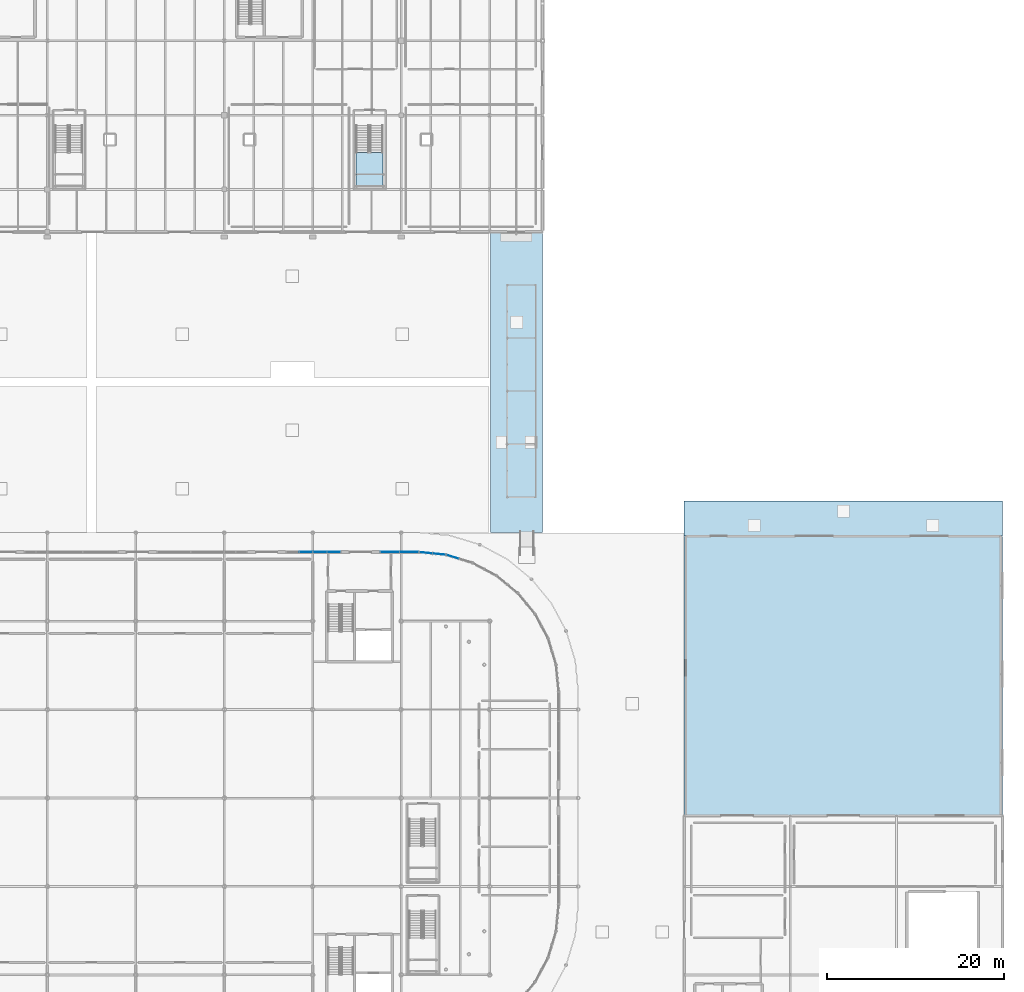
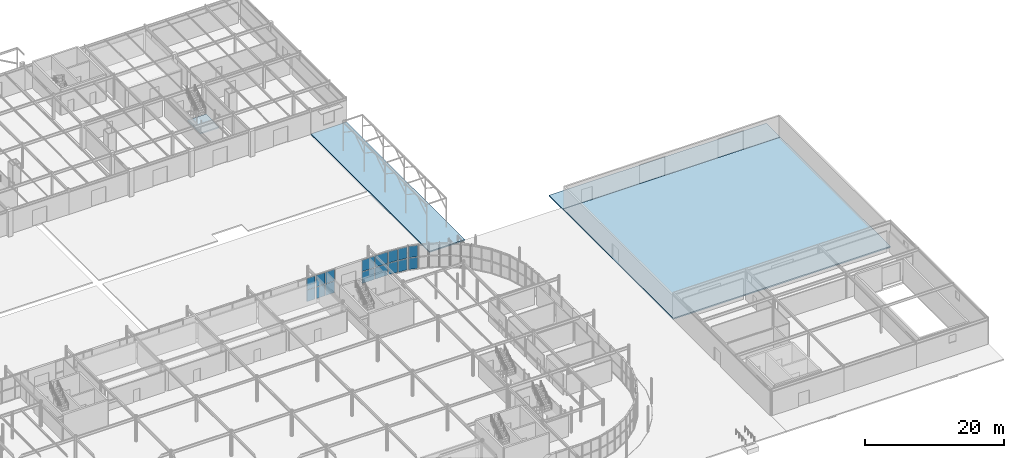
# One storey, part 81 of 119: 16 plates, 4 slabs, 6 elements without a shape of their own.
"""IFC4 building model written with IfcOpenShell, lengths in metres."""

from ifc_helpers import new_model, si_unit, derived_unit, direction, frame, origin, origin_2d_with_axis, place, context, subcontext, project, spatial, polyline, rectangle, outline, extrude, material, layer, layer_set, type_object, element, aggregate, save


model = new_model("IFC4")

# Units and contexts
model_context = context("Model", 3, precision=1e-05, world=origin(), true_north=direction((0.0, 1.0)))
body_context = subcontext(model_context, "Body", "Model", "MODEL_VIEW")
ifc_project = project(units=[si_unit("LENGTHUNIT", "METRE"), si_unit("AREAUNIT", "SQUARE_METRE"), si_unit("VOLUMEUNIT", "CUBIC_METRE"), si_unit("PLANEANGLEUNIT", "RADIAN"), si_unit("MASSUNIT", "GRAM", prefix="KILO"), derived_unit("THERMALTRANSMITTANCEUNIT", [(si_unit("POWERUNIT", "WATT"), 1), (si_unit("LENGTHUNIT", "METRE"), -2), (si_unit("THERMODYNAMICTEMPERATUREUNIT", "KELVIN"), -1)])], contexts=[model_context])

# Site, building, storey
site_placement = place(None, origin())
site = spatial("IfcSite", under=ifc_project, at=site_placement, CompositionType="ELEMENT")
building_placement = place(site_placement, origin())
building = spatial("IfcBuilding", under=site, at=building_placement, Name="Cinnabar Yard Market Hall", CompositionType="ELEMENT")
storey_placement = place(building_placement, origin())
storey = spatial("IfcBuildingStorey", under=building, at=storey_placement, Name="L00", CompositionType="ELEMENT", Elevation=0.0)

# Curtain wall, plates
ifc_material_1 = material(Name="Anodised bronze aluminium and low-E glass", Category="aluminium")
curtain_wall_type_1 = type_object("IfcCurtainWallType", Name="CW-CWH030x42", PredefinedType="NOTDEFINED", material=ifc_material_1)
curtain_wall_1_placement = place(storey_placement, origin())
curtain_wall_1 = element("IfcCurtainWall", 1, at=curtain_wall_1_placement, inside=storey, type_object=curtain_wall_type_1, Name="Market Hall North Ground Glazing B5B", PredefinedType="NOTDEFINED")
ifc_material_2 = material(Name="Low-E laminated glass", Category="glass")
ifc_layer_1 = layer(ifc_material_2, 0.031982421875)
ifc_layer_set_1 = layer_set([ifc_layer_1], Name="Low-E laminated glass")
plate_type_1 = type_object("IfcPlateType", Name="CWP-GP138x200", PredefinedType="CURTAIN_PANEL", material=ifc_layer_set_1)
plate_1_placement = place(storey_placement, frame((135.22998046875, 71.800048828125, 0.080078125), z_axis=(0.0, 0.0, 1.0), x_axis=(-1.0, 0.0, 0.0)))
plate_1 = element("IfcPlate", 2, at=plate_1_placement, type_object=plate_type_1, Name="CWH030x42 panel 1.1", PredefinedType="CURTAIN_PANEL", context=body_context, shape_type="SweptSolid", body=[
    extrude(rectangle(XDim=1.3798828125, YDim=0.031982421875, at=origin_2d_with_axis()), origin(), (0.0, 0.0, 1.0), 2.0),
])
plate_2_placement = place(storey_placement, frame((135.22998046875, 71.800048828125, 2.159912109375), z_axis=(0.0, 0.0, 1.0), x_axis=(-1.0, 0.0, 0.0)))
plate_2 = element("IfcPlate", 3, at=plate_2_placement, type_object=plate_type_1, Name="CWH030x42 panel 1.2", PredefinedType="CURTAIN_PANEL", context=body_context, shape_type="SweptSolid", body=[
    extrude(rectangle(XDim=1.3798828125, YDim=0.031982421875, at=origin_2d_with_axis()), origin(), (0.0, 0.0, 1.0), 2.0),
])
aggregate(curtain_wall_1, [plate_1, plate_2])

ifc_material_3 = material(Name="Anodised bronze aluminium curved-chord facade", Category="aluminium")
curtain_wall_type_2 = type_object("IfcCurtainWallType", Name="CW-CWC031x42", PredefinedType="NOTDEFINED", material=ifc_material_3)
curtain_wall_2_placement = place(storey_placement, origin())
curtain_wall_2 = element("IfcCurtainWall", 4, at=curtain_wall_2_placement, inside=storey, type_object=curtain_wall_type_2, Name="Corner NE Chord 7 L00", PredefinedType="NOTDEFINED")
ifc_layer_2 = layer(ifc_material_2, 0.031982421875)
ifc_layer_set_2 = layer_set([ifc_layer_2], Name="Low-E laminated glass")
plate_type_2 = type_object("IfcPlateType", Name="CWP-GP141x199", PredefinedType="CURTAIN_PANEL", material=ifc_layer_set_2)
plate_3_placement = place(storey_placement, frame((151.844970703125, 71.26513671875, 0.08984375), z_axis=(0.0, 0.0, 1.0), x_axis=(-0.956942090856, 0.290278891325, 0.0)))
plate_3 = element("IfcPlate", 5, at=plate_3_placement, type_object=plate_type_2, Name="CWC031x42 panel 2.1", PredefinedType="CURTAIN_PANEL", context=body_context, shape_type="SweptSolid", body=[
    extrude(rectangle(XDim=1.41357421875, YDim=0.031982421875, at=origin_2d_with_axis()), origin(), (0.0, 0.0, 1.0), 1.985107421875),
])
plate_4_placement = place(storey_placement, frame((151.844970703125, 71.26513671875, 2.1650390625), z_axis=(0.0, 0.0, 1.0), x_axis=(-0.956942090856, 0.290278891325, 0.0)))
plate_4 = element("IfcPlate", 6, at=plate_4_placement, type_object=plate_type_2, Name="CWC031x42 panel 2.2", PredefinedType="CURTAIN_PANEL", context=body_context, shape_type="SweptSolid", body=[
    extrude(rectangle(XDim=1.41357421875, YDim=0.031982421875, at=origin_2d_with_axis()), origin(), (0.0, 0.0, 1.0), 1.985107421875),
])
aggregate(curtain_wall_2, [plate_3, plate_4])

curtain_wall_3_placement = place(storey_placement, origin())
curtain_wall_3 = element("IfcCurtainWall", 7, at=curtain_wall_3_placement, inside=storey, type_object=curtain_wall_type_2, Name="Corner NE Chord 8 L00", PredefinedType="NOTDEFINED")
plate_5_placement = place(storey_placement, frame((150.289306640625, 71.574462890625, 0.08984375), z_axis=(0.0, 0.0, 1.0), x_axis=(-0.995184408637, 0.098020369342, 0.0)))
plate_5 = element("IfcPlate", 8, at=plate_5_placement, type_object=plate_type_2, Name="CWC031x42 panel 1.1", PredefinedType="CURTAIN_PANEL", context=body_context, shape_type="SweptSolid", body=[
    extrude(rectangle(XDim=1.41357421875, YDim=0.031982421875, at=origin_2d_with_axis()), origin(), (0.0, 0.0, 1.0), 1.985107421875),
])
plate_6_placement = place(storey_placement, frame((150.289306640625, 71.574462890625, 2.1650390625), z_axis=(0.0, 0.0, 1.0), x_axis=(-0.995184408637, 0.098020369342, 0.0)))
plate_6 = element("IfcPlate", 9, at=plate_6_placement, type_object=plate_type_2, Name="CWC031x42 panel 1.2", PredefinedType="CURTAIN_PANEL", context=body_context, shape_type="SweptSolid", body=[
    extrude(rectangle(XDim=1.41357421875, YDim=0.031982421875, at=origin_2d_with_axis()), origin(), (0.0, 0.0, 1.0), 1.985107421875),
])
plate_7_placement = place(storey_placement, frame((148.79296875, 71.721923828125, 0.08984375), z_axis=(0.0, 0.0, 1.0), x_axis=(-0.995184408637, 0.098020369342, 0.0)))
plate_7 = element("IfcPlate", 10, at=plate_7_placement, type_object=plate_type_2, Name="CWC031x42 panel 2.1", PredefinedType="CURTAIN_PANEL", context=body_context, shape_type="SweptSolid", body=[
    extrude(rectangle(XDim=1.41357421875, YDim=0.031982421875, at=origin_2d_with_axis()), origin(), (0.0, 0.0, 1.0), 1.985107421875),
])
plate_8_placement = place(storey_placement, frame((148.79296875, 71.721923828125, 2.1650390625), z_axis=(0.0, 0.0, 1.0), x_axis=(-0.995184408637, 0.098020369342, 0.0)))
plate_8 = element("IfcPlate", 11, at=plate_8_placement, type_object=plate_type_2, Name="CWC031x42 panel 2.2", PredefinedType="CURTAIN_PANEL", context=body_context, shape_type="SweptSolid", body=[
    extrude(rectangle(XDim=1.41357421875, YDim=0.031982421875, at=origin_2d_with_axis()), origin(), (0.0, 0.0, 1.0), 1.985107421875),
])
aggregate(curtain_wall_3, [plate_5, plate_6, plate_7, plate_8])

curtain_wall_type_3 = type_object("IfcCurtainWallType", Name="CW-CWH032x42", PredefinedType="NOTDEFINED", material=ifc_material_1)
curtain_wall_4_placement = place(storey_placement, origin())
curtain_wall_4 = element("IfcCurtainWall", 12, at=curtain_wall_4_placement, inside=storey, type_object=curtain_wall_type_3, Name="Market Hall North Ground Glazing B6A", PredefinedType="NOTDEFINED")
ifc_layer_3 = layer(ifc_material_2, 0.031982421875)
ifc_layer_set_3 = layer_set([ifc_layer_3], Name="Low-E laminated glass")
plate_type_3 = type_object("IfcPlateType", Name="CWP-GP148x200", PredefinedType="CURTAIN_PANEL", material=ifc_layer_set_3)
plate_9_placement = place(storey_placement, frame((138.3798828125, 71.800048828125, 0.080078125), z_axis=(0.0, 0.0, 1.0), x_axis=(-1.0, 0.0, 0.0)))
plate_9 = element("IfcPlate", 13, at=plate_9_placement, type_object=plate_type_3, Name="CWH032x42 panel 1.1", PredefinedType="CURTAIN_PANEL", context=body_context, shape_type="SweptSolid", body=[
    extrude(rectangle(XDim=1.47998046875, YDim=0.031982421875, at=origin_2d_with_axis()), origin(), (0.0, 0.0, 1.0), 2.0),
])
plate_10_placement = place(storey_placement, frame((138.3798828125, 71.800048828125, 2.159912109375), z_axis=(0.0, 0.0, 1.0), x_axis=(-1.0, 0.0, 0.0)))
plate_10 = element("IfcPlate", 14, at=plate_10_placement, type_object=plate_type_3, Name="CWH032x42 panel 1.2", PredefinedType="CURTAIN_PANEL", context=body_context, shape_type="SweptSolid", body=[
    extrude(rectangle(XDim=1.47998046875, YDim=0.031982421875, at=origin_2d_with_axis()), origin(), (0.0, 0.0, 1.0), 2.0),
])
plate_11_placement = place(storey_placement, frame((136.820068359375, 71.800048828125, 0.080078125), z_axis=(0.0, 0.0, 1.0), x_axis=(-1.0, 0.0, 0.0)))
plate_11 = element("IfcPlate", 15, at=plate_11_placement, type_object=plate_type_3, Name="CWH032x42 panel 2.1", PredefinedType="CURTAIN_PANEL", context=body_context, shape_type="SweptSolid", body=[
    extrude(rectangle(XDim=1.47998046875, YDim=0.031982421875, at=origin_2d_with_axis()), origin(), (0.0, 0.0, 1.0), 2.0),
])
plate_12_placement = place(storey_placement, frame((136.820068359375, 71.800048828125, 2.159912109375), z_axis=(0.0, 0.0, 1.0), x_axis=(-1.0, 0.0, 0.0)))
plate_12 = element("IfcPlate", 16, at=plate_12_placement, type_object=plate_type_3, Name="CWH032x42 panel 2.2", PredefinedType="CURTAIN_PANEL", context=body_context, shape_type="SweptSolid", body=[
    extrude(rectangle(XDim=1.47998046875, YDim=0.031982421875, at=origin_2d_with_axis()), origin(), (0.0, 0.0, 1.0), 2.0),
])
aggregate(curtain_wall_4, [plate_9, plate_10, plate_11, plate_12])

curtain_wall_type_4 = type_object("IfcCurtainWallType", Name="CW-CWH044x42", PredefinedType="NOTDEFINED", material=ifc_material_1)
curtain_wall_5_placement = place(storey_placement, origin())
curtain_wall_5 = element("IfcCurtainWall", 17, at=curtain_wall_5_placement, inside=storey, type_object=curtain_wall_type_4, Name="Market Hall North Ground Glazing B6B", PredefinedType="NOTDEFINED")
ifc_layer_4 = layer(ifc_material_2, 0.031982421875)
ifc_layer_set_4 = layer_set([ifc_layer_4], Name="Low-E laminated glass")
plate_type_4 = type_object("IfcPlateType", Name="CWP-GP208x200", PredefinedType="CURTAIN_PANEL", material=ifc_layer_set_4)
plate_13_placement = place(storey_placement, frame((146.8798828125, 71.800048828125, 0.080078125), z_axis=(0.0, 0.0, 1.0), x_axis=(-1.0, 0.0, 0.0)))
plate_13 = element("IfcPlate", 18, at=plate_13_placement, type_object=plate_type_4, Name="CWH044x42 panel 1.1", PredefinedType="CURTAIN_PANEL", context=body_context, shape_type="SweptSolid", body=[
    extrude(rectangle(XDim=2.080078125, YDim=0.031982421875, at=origin_2d_with_axis()), origin(), (0.0, 0.0, 1.0), 2.0),
])
plate_14_placement = place(storey_placement, frame((146.8798828125, 71.800048828125, 2.159912109375), z_axis=(0.0, 0.0, 1.0), x_axis=(-1.0, 0.0, 0.0)))
plate_14 = element("IfcPlate", 19, at=plate_14_placement, type_object=plate_type_4, Name="CWH044x42 panel 1.2", PredefinedType="CURTAIN_PANEL", context=body_context, shape_type="SweptSolid", body=[
    extrude(rectangle(XDim=2.080078125, YDim=0.031982421875, at=origin_2d_with_axis()), origin(), (0.0, 0.0, 1.0), 2.0),
])
plate_15_placement = place(storey_placement, frame((144.719970703125, 71.800048828125, 0.080078125), z_axis=(0.0, 0.0, 1.0), x_axis=(-1.0, 0.0, 0.0)))
plate_15 = element("IfcPlate", 20, at=plate_15_placement, type_object=plate_type_4, Name="CWH044x42 panel 2.1", PredefinedType="CURTAIN_PANEL", context=body_context, shape_type="SweptSolid", body=[
    extrude(rectangle(XDim=2.080078125, YDim=0.031982421875, at=origin_2d_with_axis()), origin(), (0.0, 0.0, 1.0), 2.0),
])
plate_16_placement = place(storey_placement, frame((144.719970703125, 71.800048828125, 2.159912109375), z_axis=(0.0, 0.0, 1.0), x_axis=(-1.0, 0.0, 0.0)))
plate_16 = element("IfcPlate", 21, at=plate_16_placement, type_object=plate_type_4, Name="CWH044x42 panel 2.2", PredefinedType="CURTAIN_PANEL", context=body_context, shape_type="SweptSolid", body=[
    extrude(rectangle(XDim=2.080078125, YDim=0.031982421875, at=origin_2d_with_axis()), origin(), (0.0, 0.0, 1.0), 2.0),
])
aggregate(curtain_wall_5, [plate_13, plate_14, plate_15, plate_16])

# Slabs
ifc_material_4 = material(Name="Concrete 40 MPa", Category="concrete")
ifc_layer_5 = layer(ifc_material_4, 0.219970703125)
ifc_layer_set_5 = layer_set([ifc_layer_5], Name="Concrete 40 MPa")
slab_type_1 = type_object("IfcSlabType", Name="SL-APRON", PredefinedType="BASESLAB", material=ifc_layer_set_5)
slab_1_placement = place(storey_placement, frame((0.0, 0.0, -0.219970703125)))
element("IfcSlab", 22, at=slab_1_placement, inside=storey, type_object=slab_type_1, Name="Service Yard Heavy Vehicle Deck", PredefinedType="BASESLAB", context=body_context, shape_type="SweptSolid", body=[
    extrude(outline(polyline([(178.0, 42.0400390625), (214.0, 42.0400390625), (214.0, 73.580078125), (178.0, 73.580078125), (178.0, 42.0400390625)])), origin(), (0.0, 0.0, 1.0), 0.219970703125),
])
slab_2_placement = place(storey_placement, frame((0.0, 0.0, -0.219970703125)))
element("IfcSlab", 23, at=slab_2_placement, inside=storey, type_object=slab_type_1, Name="Service Yard North Gate Apron", PredefinedType="BASESLAB", context=body_context, shape_type="SweptSolid", body=[
    extrude(outline(polyline([(178.0, 73.6201171875), (214.0, 73.6201171875), (214.0, 77.60009765625), (178.0, 77.60009765625), (178.0, 73.6201171875)])), origin(), (0.0, 0.0, 1.0), 0.219970703125),
])

# Stair, slab
ifc_material_5 = material(Name="Spotted gum timber treads on steel Grade 350 (350 MPa)", Category="steel")
stair_type = type_object("IfcStairType", Name="ST-FEAT", PredefinedType="HALF_TURN_STAIR", material=ifc_material_5)
stair_placement = place(storey_placement, origin())
stair = element("IfcStair", 24, at=stair_placement, inside=storey, type_object=stair_type, Name="L00 Feature Stair ST-F6", PredefinedType="HALF_TURN_STAIR")
ifc_layer_6 = layer(ifc_material_4, 0.199951171875)
ifc_layer_set_6 = layer_set([ifc_layer_6], Name="Concrete 40 MPa")
slab_type_2 = type_object("IfcSlabType", Name="SL-LAND", PredefinedType="LANDING", material=ifc_layer_set_6)
slab_3_placement = place(storey_placement, frame((0.0, 0.0, 2.050048828125)))
slab_3 = element("IfcSlab", 25, at=slab_3_placement, type_object=slab_type_2, Name="ST-F6 landing 1", PredefinedType="LANDING", context=body_context, shape_type="SweptSolid", body=[
    extrude(outline(polyline([(140.89990234375, 116.969970703125), (140.89990234375, 113.25), (143.9599609375, 113.25), (143.9599609375, 116.969970703125), (140.89990234375, 116.969970703125)])), origin(), (0.0, 0.0, 1.0), 0.199951171875),
])
aggregate(stair, [slab_3])

# Slab
ifc_layer_7 = layer(ifc_material_4, 0.199951171875)
ifc_layer_set_7 = layer_set([ifc_layer_7], Name="Concrete 40 MPa")
slab_type_3 = type_object("IfcSlabType", Name="SL-PASG", PredefinedType="BASESLAB", material=ifc_layer_set_7)
slab_4_placement = place(storey_placement, frame((0.0, 0.0, -0.199951171875)))
element("IfcSlab", 26, at=slab_4_placement, inside=storey, type_object=slab_type_3, Name="East Covered Passage Paving", PredefinedType="BASESLAB", context=body_context, shape_type="SweptSolid", body=[
    extrude(outline(polyline([(156.10009765625, 74.0), (162.0, 74.0), (162.0, 108.0), (156.10009765625, 108.0), (156.10009765625, 74.0)])), origin(), (0.0, 0.0, 1.0), 0.199951171875),
])

save(model, "model.ifc")
